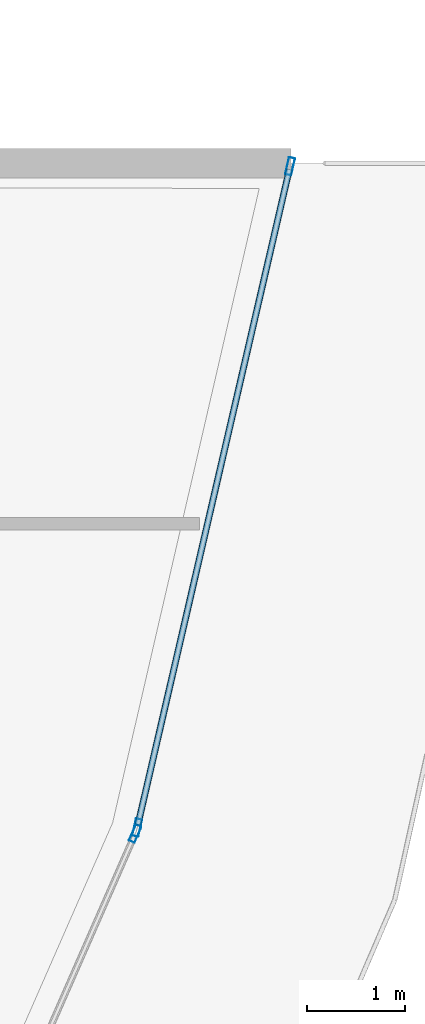
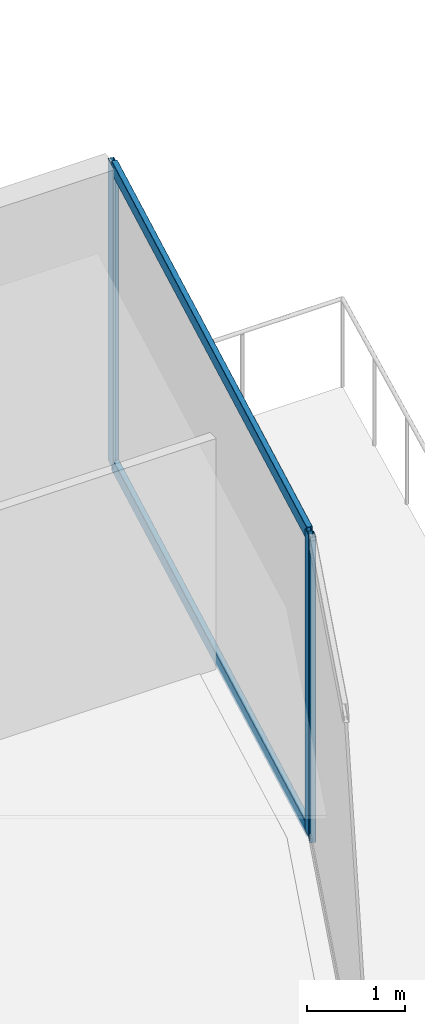
# One storey, part 27 of 45: 5 members, 2 elements without a shape of their own.
"""IFC4 building model written with IfcOpenShell, lengths in metres."""

from ifc_helpers import new_model, si_unit, direction, frame, origin, origin_2d, place, context, subcontext, project, spatial, hollow_rectangle, extrude, material, layer, layer_set, material_profile, profile_set, type_object, element, aggregate, save


model = new_model("IFC4")

# Units and contexts
model_context = context("Model", 3, precision=1e-05, world=origin(), true_north=direction((0.0, 1.0)))
body_context = subcontext(model_context, "Body", "Model", "MODEL_VIEW")
ifc_project = project(units=[si_unit("LENGTHUNIT", "METRE"), si_unit("AREAUNIT", "SQUARE_METRE"), si_unit("VOLUMEUNIT", "CUBIC_METRE"), si_unit("PLANEANGLEUNIT", "RADIAN"), si_unit("MASSUNIT", "GRAM", prefix="KILO")], contexts=[model_context])

# Site, building, storey
site_placement = place(None, origin())
site = spatial("IfcSite", under=ifc_project, at=site_placement, CompositionType="ELEMENT")
building_placement = place(site_placement, origin())
building = spatial("IfcBuilding", under=site, at=building_placement, Name="Qorvath Tower", CompositionType="ELEMENT")
storey_placement = place(building_placement, frame((0.0, 0.0, 109.800048828125)))
storey = spatial("IfcBuildingStorey", under=building, at=storey_placement, Name="L24", CompositionType="ELEMENT", Elevation=109.800048828125)

# Curtain wall, member
ifc_material_1 = material(Name="Anodised aluminium and triple low-E glass", Category="aluminium")
ifc_layer = layer(ifc_material_1, 0.179931640625)
ifc_layer_set = layer_set([ifc_layer], Name="CW-SYS-2")
curtain_wall_type = type_object("IfcCurtainWallType", Name="CW-SYS-2", PredefinedType="NOTDEFINED", material=ifc_layer_set)
curtain_wall_1_placement = place(storey_placement, origin())
curtain_wall_1 = element("IfcCurtainWall", 1, at=curtain_wall_1_placement, inside=storey, type_object=curtain_wall_type, Name="Curtain Wall CW-2 CW-T-L24-6.1", PredefinedType="NOTDEFINED")
ifc_material_2 = material(Name="Anodised aluminium 6063-T6", Category="aluminium")
ifc_material_profile_1 = material_profile(ifc_material_2, hollow_rectangle(XDim=0.06494140625, YDim=0.179931640625, WallThickness=0.00341796875, InnerFilletRadius=0.00341796875, OuterFilletRadius=0.007080078125, at=origin_2d()), Name="CWM 180x65")
ifc_profile_set_1 = profile_set([ifc_material_profile_1], Name="Anodised aluminium 6063-T6")
member_type_1 = type_object("IfcMemberType", Name="CWM-180", PredefinedType="MULLION", material=ifc_profile_set_1)
member_1_placement = place(storey_placement, frame((3.4072265625, -11.82958984375, 0.0), z_axis=(0.0, 0.0, 1.0), x_axis=(-0.915821362935, 0.401585895161, 0.0)))
member_1 = element("IfcMember", 2, at=member_1_placement, type_object=member_type_1, Name="CW-2 mullion 2", PredefinedType="MULLION", context=body_context, shape_type="SweptSolid", body=[
    extrude(hollow_rectangle(XDim=0.06494140625, YDim=0.179931640625, WallThickness=0.00341796875, InnerFilletRadius=0.00341796875, OuterFilletRadius=0.007080078125, at=origin_2d()), origin(), (0.0, 0.0, 1.0), 3.77001953125),
])
aggregate(curtain_wall_1, [member_1])

# Curtain wall, members
curtain_wall_2_placement = place(storey_placement, origin())
curtain_wall_2 = element("IfcCurtainWall", 3, at=curtain_wall_2_placement, inside=storey, type_object=curtain_wall_type, Name="Curtain Wall CW-2 CW-T-L24-7.1", PredefinedType="NOTDEFINED")
member_2_placement = place(storey_placement, frame((3.427734375, -11.76806640625, 0.0), z_axis=(0.0, 0.0, 1.0), x_axis=(-0.974312521641, 0.225200155801, 0.0)))
member_2 = element("IfcMember", 4, at=member_2_placement, type_object=member_type_1, Name="CW-2 mullion 1", PredefinedType="MULLION", context=body_context, shape_type="SweptSolid", body=[
    extrude(hollow_rectangle(XDim=0.06494140625, YDim=0.179931640625, WallThickness=0.00341796875, InnerFilletRadius=0.00341796875, OuterFilletRadius=0.007080078125, at=origin_2d()), origin(), (0.0, 0.0, 1.0), 3.77001953125),
])
member_3_placement = place(storey_placement, frame((4.982177734375, -5.04296875, 0.0), z_axis=(0.0, 0.0, 1.0), x_axis=(-0.974312521641, 0.225200155801, 0.0)))
member_3 = element("IfcMember", 5, at=member_3_placement, type_object=member_type_1, Name="CW-2 mullion 2", PredefinedType="MULLION", context=body_context, shape_type="SweptSolid", body=[
    extrude(hollow_rectangle(XDim=0.06494140625, YDim=0.179931640625, WallThickness=0.00341796875, InnerFilletRadius=0.00341796875, OuterFilletRadius=0.007080078125, at=origin_2d()), origin(), (0.0, 0.0, 1.0), 3.77001953125),
])
ifc_material_3 = material(Name="Anodised aluminium 6063-T6", Category="aluminium")
ifc_material_profile_2 = material_profile(ifc_material_3, hollow_rectangle(XDim=0.06494140625, YDim=0.159912109375, WallThickness=0.00341796875, InnerFilletRadius=0.00341796875, OuterFilletRadius=0.007080078125, at=origin_2d()), Name="CWT 160x65")
ifc_profile_set_2 = profile_set([ifc_material_profile_2], Name="Anodised aluminium 6063-T6")
member_type_2 = type_object("IfcMemberType", Name="CWT-160", PredefinedType="USERDEFINED", material=ifc_profile_set_2)
member_4_placement = place(storey_placement, frame((3.43505859375, -11.736572265625, 0.032470703125), z_axis=(0.225190666486, 0.974314714929, 0.0), x_axis=(-0.974314714929, 0.225190666486, 0.0)))
member_4 = element("IfcMember", 6, at=member_4_placement, type_object=member_type_2, Name="CW-2 transom 1.1", ObjectType="TRANSOM", PredefinedType="USERDEFINED", context=body_context, shape_type="SweptSolid", body=[
    extrude(hollow_rectangle(XDim=0.06494140625, YDim=0.159912109375, WallThickness=0.00341796875, InnerFilletRadius=0.00341796875, OuterFilletRadius=0.007080078125, at=origin_2d()), origin(), (0.0, 0.0, 1.0), 6.837646484375),
])
member_5_placement = place(storey_placement, frame((3.43505859375, -11.736572265625, 3.737548828125), z_axis=(0.225190666486, 0.974314714929, 0.0), x_axis=(-0.974314714929, 0.225190666486, 0.0)))
member_5 = element("IfcMember", 7, at=member_5_placement, type_object=member_type_2, Name="CW-2 transom 1.2", ObjectType="TRANSOM", PredefinedType="USERDEFINED", context=body_context, shape_type="SweptSolid", body=[
    extrude(hollow_rectangle(XDim=0.06494140625, YDim=0.159912109375, WallThickness=0.00341796875, InnerFilletRadius=0.00341796875, OuterFilletRadius=0.007080078125, at=origin_2d()), origin(), (0.0, 0.0, 1.0), 6.837646484375),
])
aggregate(curtain_wall_2, [member_2, member_3, member_4, member_5])

save(model, "model.ifc")
